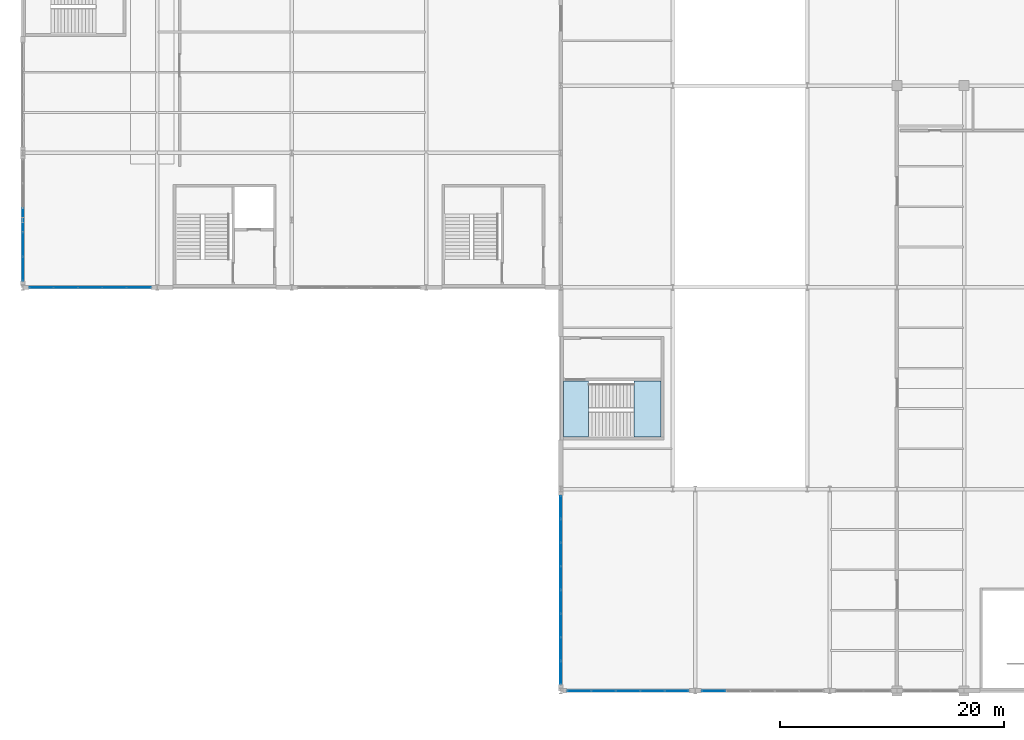
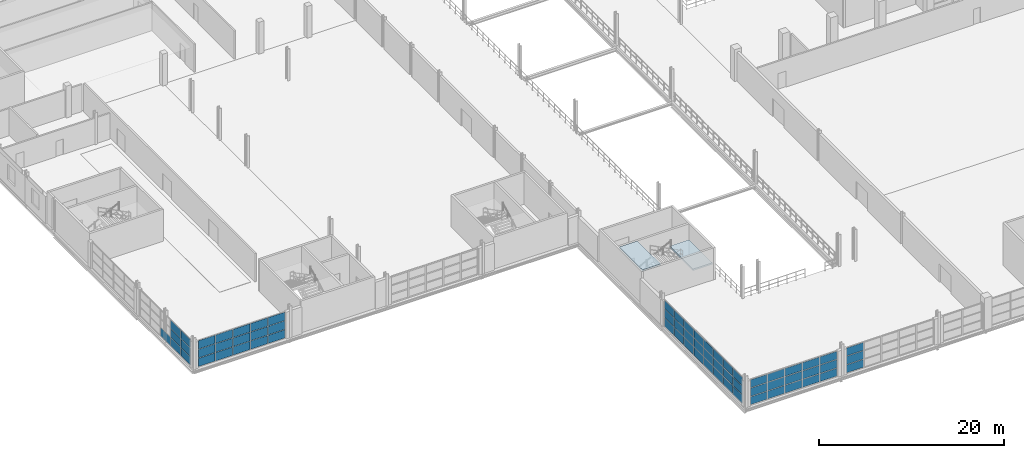
# One storey, part 125 of 158: 64 plates, 2 slabs, 6 elements without a shape of their own.
"""IFC4 building model written with IfcOpenShell, lengths in metres."""

from ifc_helpers import new_model, si_unit, direction, frame, origin, origin_2d, place, context, subcontext, project, spatial, polyline, rectangle, outline, extrude, material, layer, layer_set, type_object, element, aggregate, save


model = new_model("IFC4")

# Units and contexts
model_context = context("Model", 3, precision=1e-05, world=origin(), true_north=direction((0.0, 1.0)))
body_context = subcontext(model_context, "Body", "Model", "MODEL_VIEW")
ifc_project = project(units=[si_unit("LENGTHUNIT", "METRE"), si_unit("AREAUNIT", "SQUARE_METRE"), si_unit("VOLUMEUNIT", "CUBIC_METRE"), si_unit("PLANEANGLEUNIT", "RADIAN"), si_unit("MASSUNIT", "GRAM", prefix="KILO")], contexts=[model_context])

# Site, building, storey
site_placement = place(None, origin())
site = spatial("IfcSite", under=ifc_project, at=site_placement, CompositionType="ELEMENT")
building_placement = place(site_placement, origin())
building = spatial("IfcBuilding", under=site, at=building_placement, Name="Zilviju Railside Exhibition Hall", CompositionType="ELEMENT")
storey_placement = place(building_placement, frame((0.0, 0.0, 4.199951171875)))
storey = spatial("IfcBuildingStorey", under=building, at=storey_placement, Name="L02", CompositionType="ELEMENT", Elevation=4.199951171875)

# Curtain wall, plates
ifc_material_1 = material(Name="Thermally broken aluminium-steel triple-glazed curtain wall", Category="steel")
ifc_layer_1 = layer(ifc_material_1, 0.179931640625)
ifc_layer_set_1 = layer_set([ifc_layer_1], Name="Thermally broken aluminium-steel triple-glazed curtain wall")
curtain_wall_type_1 = type_object("IfcCurtainWallType", Name="CW-BAY-12", PredefinedType="USERDEFINED", material=ifc_layer_set_1)
curtain_wall_1_placement = place(storey_placement, origin())
curtain_wall_1 = element("IfcCurtainWall", 1, at=curtain_wall_1_placement, inside=storey, type_object=curtain_wall_type_1, Name="Winter Concourse South Upper Curtain Wall (60..72)", ObjectType="GLAZED CURTAIN WALL", PredefinedType="USERDEFINED")
ifc_material_2 = material(Name="Triple-glazed solar-control glass unit", Category="glass")
ifc_layer_2 = layer(ifc_material_2, 0.0380859375)
ifc_layer_set_2 = layer_set([ifc_layer_2], Name="Triple-glazed solar-control glass unit")
plate_type_1 = type_object("IfcPlateType", Name="CWP-IGU-38", PredefinedType="CURTAIN_PANEL", material=ifc_layer_set_2)
plate_1_placement = place(storey_placement, frame((61.65625, 0.0, 0.06494140625), z_axis=(0.0, 0.0, 1.0), x_axis=(-1.0, 0.0, 0.0)))
plate_1 = element("IfcPlate", 2, at=plate_1_placement, type_object=plate_type_1, Name="CW-12 panel 5.1", PredefinedType="CURTAIN_PANEL", context=body_context, shape_type="SweptSolid", body=[
    extrude(rectangle(XDim=2.08251953125, YDim=0.0380859375, at=origin_2d()), origin(), (0.0, 0.0, 1.0), 1.035400390625),
])
plate_2_placement = place(storey_placement, frame((61.65625, 0.0, 1.16552734375), z_axis=(0.0, 0.0, 1.0), x_axis=(-1.0, 0.0, 0.0)))
plate_2 = element("IfcPlate", 3, at=plate_2_placement, type_object=plate_type_1, Name="CW-12 panel 5.2", PredefinedType="CURTAIN_PANEL", context=body_context, shape_type="SweptSolid", body=[
    extrude(rectangle(XDim=2.08251953125, YDim=0.0380859375, at=origin_2d()), origin(), (0.0, 0.0, 1.0), 1.069091796875),
])
plate_3_placement = place(storey_placement, frame((61.65625, 0.0, 2.2998046875), z_axis=(0.0, 0.0, 1.0), x_axis=(-1.0, 0.0, 0.0)))
plate_3 = element("IfcPlate", 4, at=plate_3_placement, type_object=plate_type_1, Name="CW-12 panel 5.3", PredefinedType="CURTAIN_PANEL", context=body_context, shape_type="SweptSolid", body=[
    extrude(rectangle(XDim=2.08251953125, YDim=0.0380859375, at=origin_2d()), origin(), (0.0, 0.0, 1.0), 1.035400390625),
])
aggregate(curtain_wall_1, [plate_1, plate_2, plate_3])

ifc_layer_3 = layer(ifc_material_1, 0.179931640625)
ifc_layer_set_3 = layer_set([ifc_layer_3], Name="Thermally broken aluminium-steel triple-glazed curtain wall")
curtain_wall_type_2 = type_object("IfcCurtainWallType", Name="CW-BAY-18", PredefinedType="USERDEFINED", material=ifc_layer_set_3)
curtain_wall_2_placement = place(storey_placement, origin())
curtain_wall_2 = element("IfcCurtainWall", 5, at=curtain_wall_2_placement, inside=storey, type_object=curtain_wall_type_2, Name="Congress Crush Foyer Boulevard Curtain Wall L02 (36..48)", ObjectType="GLAZED CURTAIN WALL", PredefinedType="USERDEFINED")
plate_4_placement = place(storey_placement, frame((0.0, 37.65625, 0.06494140625), z_axis=(0.0, 0.0, 1.0), x_axis=(0.0, 1.0, 0.0)))
plate_4 = element("IfcPlate", 6, at=plate_4_placement, type_object=plate_type_1, Name="CW-18 panel 1.1", PredefinedType="CURTAIN_PANEL", context=body_context, shape_type="SweptSolid", body=[
    extrude(rectangle(XDim=2.08251953125, YDim=0.0380859375, at=origin_2d()), origin(), (0.0, 0.0, 1.0), 1.069580078125),
])
plate_5_placement = place(storey_placement, frame((0.0, 37.65625, 1.199462890625), z_axis=(0.0, 0.0, 1.0), x_axis=(0.0, 1.0, 0.0)))
plate_5 = element("IfcPlate", 7, at=plate_5_placement, type_object=plate_type_1, Name="CW-18 panel 1.2", PredefinedType="CURTAIN_PANEL", context=body_context, shape_type="SweptSolid", body=[
    extrude(rectangle(XDim=2.08251953125, YDim=0.0380859375, at=origin_2d()), origin(), (0.0, 0.0, 1.0), 1.10107421875),
])
plate_6_placement = place(storey_placement, frame((0.0, 37.65625, 2.36572265625), z_axis=(0.0, 0.0, 1.0), x_axis=(0.0, 1.0, 0.0)))
plate_6 = element("IfcPlate", 8, at=plate_6_placement, type_object=plate_type_1, Name="CW-18 panel 1.3", PredefinedType="CURTAIN_PANEL", context=body_context, shape_type="SweptSolid", body=[
    extrude(rectangle(XDim=2.08251953125, YDim=0.0380859375, at=origin_2d()), origin(), (0.0, 0.0, 1.0), 1.069580078125),
])
plate_7_placement = place(storey_placement, frame((0.0, 39.820068359375, 0.06494140625), z_axis=(0.0, 0.0, 1.0), x_axis=(0.0, 1.0, 0.0)))
plate_7 = element("IfcPlate", 9, at=plate_7_placement, type_object=plate_type_1, Name="CW-18 panel 2.1", PredefinedType="CURTAIN_PANEL", context=body_context, shape_type="SweptSolid", body=[
    extrude(rectangle(XDim=2.114990234375, YDim=0.0380859375, at=origin_2d()), origin(), (0.0, 0.0, 1.0), 1.069580078125),
])
plate_8_placement = place(storey_placement, frame((0.0, 39.820068359375, 1.199462890625), z_axis=(0.0, 0.0, 1.0), x_axis=(0.0, 1.0, 0.0)))
plate_8 = element("IfcPlate", 10, at=plate_8_placement, type_object=plate_type_1, Name="CW-18 panel 2.2", PredefinedType="CURTAIN_PANEL", context=body_context, shape_type="SweptSolid", body=[
    extrude(rectangle(XDim=2.114990234375, YDim=0.0380859375, at=origin_2d()), origin(), (0.0, 0.0, 1.0), 1.10107421875),
])
plate_9_placement = place(storey_placement, frame((0.0, 39.820068359375, 2.36572265625), z_axis=(0.0, 0.0, 1.0), x_axis=(0.0, 1.0, 0.0)))
plate_9 = element("IfcPlate", 11, at=plate_9_placement, type_object=plate_type_1, Name="CW-18 panel 2.3", PredefinedType="CURTAIN_PANEL", context=body_context, shape_type="SweptSolid", body=[
    extrude(rectangle(XDim=2.114990234375, YDim=0.0380859375, at=origin_2d()), origin(), (0.0, 0.0, 1.0), 1.069580078125),
])
plate_10_placement = place(storey_placement, frame((0.0, 42.0, 0.06494140625), z_axis=(0.0, 0.0, 1.0), x_axis=(0.0, 1.0, 0.0)))
plate_10 = element("IfcPlate", 12, at=plate_10_placement, type_object=plate_type_1, Name="CW-18 panel 3.1", PredefinedType="CURTAIN_PANEL", context=body_context, shape_type="SweptSolid", body=[
    extrude(rectangle(XDim=2.114990234375, YDim=0.0380859375, at=origin_2d()), origin(), (0.0, 0.0, 1.0), 1.069580078125),
])
aggregate(curtain_wall_2, [plate_4, plate_5, plate_6, plate_7, plate_8, plate_9, plate_10])

ifc_layer_4 = layer(ifc_material_1, 0.179931640625)
ifc_layer_set_4 = layer_set([ifc_layer_4], Name="Thermally broken aluminium-steel triple-glazed curtain wall")
curtain_wall_type_3 = type_object("IfcCurtainWallType", Name="CW-BAY-11", PredefinedType="USERDEFINED", material=ifc_layer_set_4)
curtain_wall_3_placement = place(storey_placement, origin())
curtain_wall_3 = element("IfcCurtainWall", 13, at=curtain_wall_3_placement, inside=storey, type_object=curtain_wall_type_3, Name="Winter Concourse South Upper Curtain Wall (48..60)", ObjectType="GLAZED CURTAIN WALL", PredefinedType="USERDEFINED")
ifc_material_3 = material(Name="Triple-glazed low-E argon insulating glass unit", Category="glass")
ifc_layer_5 = layer(ifc_material_3, 0.0439453125)
ifc_layer_set_5 = layer_set([ifc_layer_5], Name="Triple-glazed low-E argon insulating glass unit")
plate_type_2 = type_object("IfcPlateType", Name="CWP-IGU-44", PredefinedType="CURTAIN_PANEL", material=ifc_layer_set_5)
plate_11_placement = place(storey_placement, frame((58.342529296875, 0.0, 0.06982421875), z_axis=(0.0, 0.0, 1.0), x_axis=(-1.0, 0.0, 0.0)))
plate_11 = element("IfcPlate", 14, at=plate_11_placement, type_object=plate_type_2, Name="CW-11 panel 1.1", PredefinedType="CURTAIN_PANEL", context=body_context, shape_type="SweptSolid", body=[
    extrude(rectangle(XDim=2.074951171875, YDim=0.0439453125, at=origin_2d()), origin(), (0.0, 0.0, 1.0), 1.028076171875),
])
plate_12_placement = place(storey_placement, frame((58.342529296875, 0.0, 1.16796875), z_axis=(0.0, 0.0, 1.0), x_axis=(-1.0, 0.0, 0.0)))
plate_12 = element("IfcPlate", 15, at=plate_12_placement, type_object=plate_type_2, Name="CW-11 panel 1.2", PredefinedType="CURTAIN_PANEL", context=body_context, shape_type="SweptSolid", body=[
    extrude(rectangle(XDim=2.074951171875, YDim=0.0439453125, at=origin_2d()), origin(), (0.0, 0.0, 1.0), 1.06396484375),
])
plate_13_placement = place(storey_placement, frame((58.342529296875, 0.0, 2.30224609375), z_axis=(0.0, 0.0, 1.0), x_axis=(-1.0, 0.0, 0.0)))
plate_13 = element("IfcPlate", 16, at=plate_13_placement, type_object=plate_type_2, Name="CW-11 panel 1.3", PredefinedType="CURTAIN_PANEL", context=body_context, shape_type="SweptSolid", body=[
    extrude(rectangle(XDim=2.074951171875, YDim=0.0439453125, at=origin_2d()), origin(), (0.0, 0.0, 1.0), 1.028076171875),
])
plate_14_placement = place(storey_placement, frame((56.179931640625, 0.0, 0.06982421875), z_axis=(0.0, 0.0, 1.0), x_axis=(-1.0, 0.0, 0.0)))
plate_14 = element("IfcPlate", 17, at=plate_14_placement, type_object=plate_type_2, Name="CW-11 panel 2.1", PredefinedType="CURTAIN_PANEL", context=body_context, shape_type="SweptSolid", body=[
    extrude(rectangle(XDim=2.110107421875, YDim=0.0439453125, at=origin_2d()), origin(), (0.0, 0.0, 1.0), 1.028076171875),
])
plate_15_placement = place(storey_placement, frame((56.179931640625, 0.0, 1.16796875), z_axis=(0.0, 0.0, 1.0), x_axis=(-1.0, 0.0, 0.0)))
plate_15 = element("IfcPlate", 18, at=plate_15_placement, type_object=plate_type_2, Name="CW-11 panel 2.2", PredefinedType="CURTAIN_PANEL", context=body_context, shape_type="SweptSolid", body=[
    extrude(rectangle(XDim=2.110107421875, YDim=0.0439453125, at=origin_2d()), origin(), (0.0, 0.0, 1.0), 1.06396484375),
])
plate_16_placement = place(storey_placement, frame((56.179931640625, 0.0, 2.30224609375), z_axis=(0.0, 0.0, 1.0), x_axis=(-1.0, 0.0, 0.0)))
plate_16 = element("IfcPlate", 19, at=plate_16_placement, type_object=plate_type_2, Name="CW-11 panel 2.3", PredefinedType="CURTAIN_PANEL", context=body_context, shape_type="SweptSolid", body=[
    extrude(rectangle(XDim=2.110107421875, YDim=0.0439453125, at=origin_2d()), origin(), (0.0, 0.0, 1.0), 1.028076171875),
])
plate_17_placement = place(storey_placement, frame((54.0, 0.0, 0.06982421875), z_axis=(0.0, 0.0, 1.0), x_axis=(-1.0, 0.0, 0.0)))
plate_17 = element("IfcPlate", 20, at=plate_17_placement, type_object=plate_type_2, Name="CW-11 panel 3.1", PredefinedType="CURTAIN_PANEL", context=body_context, shape_type="SweptSolid", body=[
    extrude(rectangle(XDim=2.110107421875, YDim=0.0439453125, at=origin_2d()), origin(), (0.0, 0.0, 1.0), 1.028076171875),
])
plate_18_placement = place(storey_placement, frame((54.0, 0.0, 1.16796875), z_axis=(0.0, 0.0, 1.0), x_axis=(-1.0, 0.0, 0.0)))
plate_18 = element("IfcPlate", 21, at=plate_18_placement, type_object=plate_type_2, Name="CW-11 panel 3.2", PredefinedType="CURTAIN_PANEL", context=body_context, shape_type="SweptSolid", body=[
    extrude(rectangle(XDim=2.110107421875, YDim=0.0439453125, at=origin_2d()), origin(), (0.0, 0.0, 1.0), 1.06396484375),
])
plate_19_placement = place(storey_placement, frame((54.0, 0.0, 2.30224609375), z_axis=(0.0, 0.0, 1.0), x_axis=(-1.0, 0.0, 0.0)))
plate_19 = element("IfcPlate", 22, at=plate_19_placement, type_object=plate_type_2, Name="CW-11 panel 3.3", PredefinedType="CURTAIN_PANEL", context=body_context, shape_type="SweptSolid", body=[
    extrude(rectangle(XDim=2.110107421875, YDim=0.0439453125, at=origin_2d()), origin(), (0.0, 0.0, 1.0), 1.028076171875),
])
plate_20_placement = place(storey_placement, frame((51.820068359375, 0.0, 0.06982421875), z_axis=(0.0, 0.0, 1.0), x_axis=(-1.0, 0.0, 0.0)))
plate_20 = element("IfcPlate", 23, at=plate_20_placement, type_object=plate_type_2, Name="CW-11 panel 4.1", PredefinedType="CURTAIN_PANEL", context=body_context, shape_type="SweptSolid", body=[
    extrude(rectangle(XDim=2.110107421875, YDim=0.0439453125, at=origin_2d()), origin(), (0.0, 0.0, 1.0), 1.028076171875),
])
plate_21_placement = place(storey_placement, frame((51.820068359375, 0.0, 1.16796875), z_axis=(0.0, 0.0, 1.0), x_axis=(-1.0, 0.0, 0.0)))
plate_21 = element("IfcPlate", 24, at=plate_21_placement, type_object=plate_type_2, Name="CW-11 panel 4.2", PredefinedType="CURTAIN_PANEL", context=body_context, shape_type="SweptSolid", body=[
    extrude(rectangle(XDim=2.110107421875, YDim=0.0439453125, at=origin_2d()), origin(), (0.0, 0.0, 1.0), 1.06396484375),
])
plate_22_placement = place(storey_placement, frame((51.820068359375, 0.0, 2.30224609375), z_axis=(0.0, 0.0, 1.0), x_axis=(-1.0, 0.0, 0.0)))
plate_22 = element("IfcPlate", 25, at=plate_22_placement, type_object=plate_type_2, Name="CW-11 panel 4.3", PredefinedType="CURTAIN_PANEL", context=body_context, shape_type="SweptSolid", body=[
    extrude(rectangle(XDim=2.110107421875, YDim=0.0439453125, at=origin_2d()), origin(), (0.0, 0.0, 1.0), 1.028076171875),
])
plate_23_placement = place(storey_placement, frame((49.657470703125, 0.0, 0.06982421875), z_axis=(0.0, 0.0, 1.0), x_axis=(-1.0, 0.0, 0.0)))
plate_23 = element("IfcPlate", 26, at=plate_23_placement, type_object=plate_type_2, Name="CW-11 panel 5.1", PredefinedType="CURTAIN_PANEL", context=body_context, shape_type="SweptSolid", body=[
    extrude(rectangle(XDim=2.074951171875, YDim=0.0439453125, at=origin_2d()), origin(), (0.0, 0.0, 1.0), 1.028076171875),
])
plate_24_placement = place(storey_placement, frame((49.657470703125, 0.0, 1.16796875), z_axis=(0.0, 0.0, 1.0), x_axis=(-1.0, 0.0, 0.0)))
plate_24 = element("IfcPlate", 27, at=plate_24_placement, type_object=plate_type_2, Name="CW-11 panel 5.2", PredefinedType="CURTAIN_PANEL", context=body_context, shape_type="SweptSolid", body=[
    extrude(rectangle(XDim=2.074951171875, YDim=0.0439453125, at=origin_2d()), origin(), (0.0, 0.0, 1.0), 1.06396484375),
])
plate_25_placement = place(storey_placement, frame((49.657470703125, 0.0, 2.30224609375), z_axis=(0.0, 0.0, 1.0), x_axis=(-1.0, 0.0, 0.0)))
plate_25 = element("IfcPlate", 28, at=plate_25_placement, type_object=plate_type_2, Name="CW-11 panel 5.3", PredefinedType="CURTAIN_PANEL", context=body_context, shape_type="SweptSolid", body=[
    extrude(rectangle(XDim=2.074951171875, YDim=0.0439453125, at=origin_2d()), origin(), (0.0, 0.0, 1.0), 1.028076171875),
])
aggregate(curtain_wall_3, [plate_11, plate_12, plate_13, plate_14, plate_15, plate_16, plate_17, plate_18, plate_19, plate_20, plate_21, plate_22, plate_23, plate_24, plate_25])

ifc_layer_6 = layer(ifc_material_1, 0.179931640625)
ifc_layer_set_6 = layer_set([ifc_layer_6], Name="Thermally broken aluminium-steel triple-glazed curtain wall")
curtain_wall_type_4 = type_object("IfcCurtainWallType", Name="CW-BAY-16", PredefinedType="USERDEFINED", material=ifc_layer_set_6)
curtain_wall_4_placement = place(storey_placement, origin())
curtain_wall_4 = element("IfcCurtainWall", 29, at=curtain_wall_4_placement, inside=storey, type_object=curtain_wall_type_4, Name="Congress Forecourt Curtain Wall L02 (0..12)", ObjectType="GLAZED CURTAIN WALL", PredefinedType="USERDEFINED")
plate_26_placement = place(storey_placement, frame((10.34619140625, 36.0, 0.05517578125), z_axis=(0.0, 0.0, 1.0), x_axis=(-1.0, 0.0, 0.0)))
plate_26 = element("IfcPlate", 30, at=plate_26_placement, type_object=plate_type_2, Name="CW-16 panel 1.1", PredefinedType="CURTAIN_PANEL", context=body_context, shape_type="SweptSolid", body=[
    extrude(rectangle(XDim=2.097412109375, YDim=0.0439453125, at=origin_2d()), origin(), (0.0, 0.0, 1.0), 1.090576171875),
])
plate_27_placement = place(storey_placement, frame((10.34619140625, 36.0, 1.20068359375), z_axis=(0.0, 0.0, 1.0), x_axis=(-1.0, 0.0, 0.0)))
plate_27 = element("IfcPlate", 31, at=plate_27_placement, type_object=plate_type_2, Name="CW-16 panel 1.2", PredefinedType="CURTAIN_PANEL", context=body_context, shape_type="SweptSolid", body=[
    extrude(rectangle(XDim=2.097412109375, YDim=0.0439453125, at=origin_2d()), origin(), (0.0, 0.0, 1.0), 1.118896484375),
])
plate_28_placement = place(storey_placement, frame((10.34619140625, 36.0, 2.37451171875), z_axis=(0.0, 0.0, 1.0), x_axis=(-1.0, 0.0, 0.0)))
plate_28 = element("IfcPlate", 32, at=plate_28_placement, type_object=plate_type_2, Name="CW-16 panel 1.3", PredefinedType="CURTAIN_PANEL", context=body_context, shape_type="SweptSolid", body=[
    extrude(rectangle(XDim=2.097412109375, YDim=0.0439453125, at=origin_2d()), origin(), (0.0, 0.0, 1.0), 1.090576171875),
])
plate_29_placement = place(storey_placement, frame((8.179931640625, 36.0, 0.05517578125), z_axis=(0.0, 0.0, 1.0), x_axis=(-1.0, 0.0, 0.0)))
plate_29 = element("IfcPlate", 33, at=plate_29_placement, type_object=plate_type_2, Name="CW-16 panel 2.1", PredefinedType="CURTAIN_PANEL", context=body_context, shape_type="SweptSolid", body=[
    extrude(rectangle(XDim=2.125, YDim=0.0439453125, at=origin_2d()), origin(), (0.0, 0.0, 1.0), 1.090576171875),
])
plate_30_placement = place(storey_placement, frame((8.179931640625, 36.0, 1.20068359375), z_axis=(0.0, 0.0, 1.0), x_axis=(-1.0, 0.0, 0.0)))
plate_30 = element("IfcPlate", 34, at=plate_30_placement, type_object=plate_type_2, Name="CW-16 panel 2.2", PredefinedType="CURTAIN_PANEL", context=body_context, shape_type="SweptSolid", body=[
    extrude(rectangle(XDim=2.125, YDim=0.0439453125, at=origin_2d()), origin(), (0.0, 0.0, 1.0), 1.118896484375),
])
plate_31_placement = place(storey_placement, frame((8.179931640625, 36.0, 2.37451171875), z_axis=(0.0, 0.0, 1.0), x_axis=(-1.0, 0.0, 0.0)))
plate_31 = element("IfcPlate", 35, at=plate_31_placement, type_object=plate_type_2, Name="CW-16 panel 2.3", PredefinedType="CURTAIN_PANEL", context=body_context, shape_type="SweptSolid", body=[
    extrude(rectangle(XDim=2.125, YDim=0.0439453125, at=origin_2d()), origin(), (0.0, 0.0, 1.0), 1.090576171875),
])
plate_32_placement = place(storey_placement, frame((6.0, 36.0, 0.05517578125), z_axis=(0.0, 0.0, 1.0), x_axis=(-1.0, 0.0, 0.0)))
plate_32 = element("IfcPlate", 36, at=plate_32_placement, type_object=plate_type_2, Name="CW-16 panel 3.1", PredefinedType="CURTAIN_PANEL", context=body_context, shape_type="SweptSolid", body=[
    extrude(rectangle(XDim=2.125, YDim=0.0439453125, at=origin_2d()), origin(), (0.0, 0.0, 1.0), 1.090576171875),
])
plate_33_placement = place(storey_placement, frame((6.0, 36.0, 1.20068359375), z_axis=(0.0, 0.0, 1.0), x_axis=(-1.0, 0.0, 0.0)))
plate_33 = element("IfcPlate", 37, at=plate_33_placement, type_object=plate_type_2, Name="CW-16 panel 3.2", PredefinedType="CURTAIN_PANEL", context=body_context, shape_type="SweptSolid", body=[
    extrude(rectangle(XDim=2.125, YDim=0.0439453125, at=origin_2d()), origin(), (0.0, 0.0, 1.0), 1.118896484375),
])
plate_34_placement = place(storey_placement, frame((6.0, 36.0, 2.37451171875), z_axis=(0.0, 0.0, 1.0), x_axis=(-1.0, 0.0, 0.0)))
plate_34 = element("IfcPlate", 38, at=plate_34_placement, type_object=plate_type_2, Name="CW-16 panel 3.3", PredefinedType="CURTAIN_PANEL", context=body_context, shape_type="SweptSolid", body=[
    extrude(rectangle(XDim=2.125, YDim=0.0439453125, at=origin_2d()), origin(), (0.0, 0.0, 1.0), 1.090576171875),
])
plate_35_placement = place(storey_placement, frame((3.820068359375, 36.0, 0.05517578125), z_axis=(0.0, 0.0, 1.0), x_axis=(-1.0, 0.0, 0.0)))
plate_35 = element("IfcPlate", 39, at=plate_35_placement, type_object=plate_type_2, Name="CW-16 panel 4.1", PredefinedType="CURTAIN_PANEL", context=body_context, shape_type="SweptSolid", body=[
    extrude(rectangle(XDim=2.125, YDim=0.0439453125, at=origin_2d()), origin(), (0.0, 0.0, 1.0), 1.090576171875),
])
plate_36_placement = place(storey_placement, frame((3.820068359375, 36.0, 1.20068359375), z_axis=(0.0, 0.0, 1.0), x_axis=(-1.0, 0.0, 0.0)))
plate_36 = element("IfcPlate", 40, at=plate_36_placement, type_object=plate_type_2, Name="CW-16 panel 4.2", PredefinedType="CURTAIN_PANEL", context=body_context, shape_type="SweptSolid", body=[
    extrude(rectangle(XDim=2.125, YDim=0.0439453125, at=origin_2d()), origin(), (0.0, 0.0, 1.0), 1.118896484375),
])
plate_37_placement = place(storey_placement, frame((3.820068359375, 36.0, 2.37451171875), z_axis=(0.0, 0.0, 1.0), x_axis=(-1.0, 0.0, 0.0)))
plate_37 = element("IfcPlate", 41, at=plate_37_placement, type_object=plate_type_2, Name="CW-16 panel 4.3", PredefinedType="CURTAIN_PANEL", context=body_context, shape_type="SweptSolid", body=[
    extrude(rectangle(XDim=2.125, YDim=0.0439453125, at=origin_2d()), origin(), (0.0, 0.0, 1.0), 1.090576171875),
])
plate_38_placement = place(storey_placement, frame((1.65380859375, 36.0, 0.05517578125), z_axis=(0.0, 0.0, 1.0), x_axis=(-1.0, 0.0, 0.0)))
plate_38 = element("IfcPlate", 42, at=plate_38_placement, type_object=plate_type_2, Name="CW-16 panel 5.1", PredefinedType="CURTAIN_PANEL", context=body_context, shape_type="SweptSolid", body=[
    extrude(rectangle(XDim=2.097412109375, YDim=0.0439453125, at=origin_2d()), origin(), (0.0, 0.0, 1.0), 1.090576171875),
])
plate_39_placement = place(storey_placement, frame((1.65380859375, 36.0, 1.20068359375), z_axis=(0.0, 0.0, 1.0), x_axis=(-1.0, 0.0, 0.0)))
plate_39 = element("IfcPlate", 43, at=plate_39_placement, type_object=plate_type_2, Name="CW-16 panel 5.2", PredefinedType="CURTAIN_PANEL", context=body_context, shape_type="SweptSolid", body=[
    extrude(rectangle(XDim=2.097412109375, YDim=0.0439453125, at=origin_2d()), origin(), (0.0, 0.0, 1.0), 1.118896484375),
])
plate_40_placement = place(storey_placement, frame((1.65380859375, 36.0, 2.37451171875), z_axis=(0.0, 0.0, 1.0), x_axis=(-1.0, 0.0, 0.0)))
plate_40 = element("IfcPlate", 44, at=plate_40_placement, type_object=plate_type_2, Name="CW-16 panel 5.3", PredefinedType="CURTAIN_PANEL", context=body_context, shape_type="SweptSolid", body=[
    extrude(rectangle(XDim=2.097412109375, YDim=0.0439453125, at=origin_2d()), origin(), (0.0, 0.0, 1.0), 1.090576171875),
])
aggregate(curtain_wall_4, [plate_26, plate_27, plate_28, plate_29, plate_30, plate_31, plate_32, plate_33, plate_34, plate_35, plate_36, plate_37, plate_38, plate_39, plate_40])

ifc_layer_7 = layer(ifc_material_1, 0.179931640625)
ifc_layer_set_7 = layer_set([ifc_layer_7], Name="Thermally broken aluminium-steel triple-glazed curtain wall")
curtain_wall_type_5 = type_object("IfcCurtainWallType", Name="CW-BAY-14", PredefinedType="USERDEFINED", material=ifc_layer_set_7)
curtain_wall_5_placement = place(storey_placement, origin())
curtain_wall_5 = element("IfcCurtainWall", 45, at=curtain_wall_5_placement, inside=storey, type_object=curtain_wall_type_5, Name="Winter Concourse Forecourt Curtain Wall L02", ObjectType="GLAZED CURTAIN WALL", PredefinedType="USERDEFINED")
ifc_material_4 = material(Name="Insulated cobalt-blue enamelled spandrel glass panel", Category="glass")
ifc_layer_8 = layer(ifc_material_4, 0.052001953125)
ifc_layer_set_8 = layer_set([ifc_layer_8], Name="Insulated cobalt-blue enamelled spandrel glass panel")
plate_type_3 = type_object("IfcPlateType", Name="CWP-SPD-52", PredefinedType="CURTAIN_PANEL", material=ifc_layer_set_8)
plate_41_placement = place(storey_placement, frame((48.0, 1.626220703125, 0.080078125), z_axis=(0.0, 0.0, 1.0), x_axis=(0.0, 1.0, 0.0)))
plate_41 = element("IfcPlate", 46, at=plate_41_placement, type_object=plate_type_3, Name="CW-14 panel 1.1", PredefinedType="CURTAIN_PANEL", context=body_context, shape_type="SweptSolid", body=[
    extrude(rectangle(XDim=1.992431640625, YDim=0.052001953125, at=origin_2d()), origin(), (0.0, 0.0, 1.0), 1.06298828125),
])
plate_42_placement = place(storey_placement, frame((48.0, 1.626220703125, 1.22314453125), z_axis=(0.0, 0.0, 1.0), x_axis=(0.0, 1.0, 0.0)))
plate_42 = element("IfcPlate", 47, at=plate_42_placement, type_object=plate_type_3, Name="CW-14 panel 1.2", PredefinedType="CURTAIN_PANEL", context=body_context, shape_type="SweptSolid", body=[
    extrude(rectangle(XDim=1.992431640625, YDim=0.052001953125, at=origin_2d()), origin(), (0.0, 0.0, 1.0), 1.10400390625),
])
plate_43_placement = place(storey_placement, frame((48.0, 1.626220703125, 2.406982421875), z_axis=(0.0, 0.0, 1.0), x_axis=(0.0, 1.0, 0.0)))
plate_43 = element("IfcPlate", 48, at=plate_43_placement, type_object=plate_type_3, Name="CW-14 panel 1.3", PredefinedType="CURTAIN_PANEL", context=body_context, shape_type="SweptSolid", body=[
    extrude(rectangle(XDim=1.992431640625, YDim=0.052001953125, at=origin_2d()), origin(), (0.0, 0.0, 1.0), 1.06298828125),
])
plate_44_placement = place(storey_placement, frame((48.0, 3.71875, 0.080078125), z_axis=(0.0, 0.0, 1.0), x_axis=(0.0, 1.0, 0.0)))
plate_44 = element("IfcPlate", 49, at=plate_44_placement, type_object=plate_type_3, Name="CW-14 panel 2.1", PredefinedType="CURTAIN_PANEL", context=body_context, shape_type="SweptSolid", body=[
    extrude(rectangle(XDim=2.032470703125, YDim=0.052001953125, at=origin_2d()), origin(), (0.0, 0.0, 1.0), 1.06298828125),
])
plate_45_placement = place(storey_placement, frame((48.0, 3.71875, 1.22314453125), z_axis=(0.0, 0.0, 1.0), x_axis=(0.0, 1.0, 0.0)))
plate_45 = element("IfcPlate", 50, at=plate_45_placement, type_object=plate_type_3, Name="CW-14 panel 2.2", PredefinedType="CURTAIN_PANEL", context=body_context, shape_type="SweptSolid", body=[
    extrude(rectangle(XDim=2.032470703125, YDim=0.052001953125, at=origin_2d()), origin(), (0.0, 0.0, 1.0), 1.10400390625),
])
plate_46_placement = place(storey_placement, frame((48.0, 3.71875, 2.406982421875), z_axis=(0.0, 0.0, 1.0), x_axis=(0.0, 1.0, 0.0)))
plate_46 = element("IfcPlate", 51, at=plate_46_placement, type_object=plate_type_3, Name="CW-14 panel 2.3", PredefinedType="CURTAIN_PANEL", context=body_context, shape_type="SweptSolid", body=[
    extrude(rectangle(XDim=2.032470703125, YDim=0.052001953125, at=origin_2d()), origin(), (0.0, 0.0, 1.0), 1.06298828125),
])
plate_47_placement = place(storey_placement, frame((48.0, 5.831298828125, 0.080078125), z_axis=(0.0, 0.0, 1.0), x_axis=(0.0, 1.0, 0.0)))
plate_47 = element("IfcPlate", 52, at=plate_47_placement, type_object=plate_type_3, Name="CW-14 panel 3.1", PredefinedType="CURTAIN_PANEL", context=body_context, shape_type="SweptSolid", body=[
    extrude(rectangle(XDim=2.032470703125, YDim=0.052001953125, at=origin_2d()), origin(), (0.0, 0.0, 1.0), 1.06298828125),
])
plate_48_placement = place(storey_placement, frame((48.0, 5.831298828125, 1.22314453125), z_axis=(0.0, 0.0, 1.0), x_axis=(0.0, 1.0, 0.0)))
plate_48 = element("IfcPlate", 53, at=plate_48_placement, type_object=plate_type_3, Name="CW-14 panel 3.2", PredefinedType="CURTAIN_PANEL", context=body_context, shape_type="SweptSolid", body=[
    extrude(rectangle(XDim=2.032470703125, YDim=0.052001953125, at=origin_2d()), origin(), (0.0, 0.0, 1.0), 1.10400390625),
])
plate_49_placement = place(storey_placement, frame((48.0, 5.831298828125, 2.406982421875), z_axis=(0.0, 0.0, 1.0), x_axis=(0.0, 1.0, 0.0)))
plate_49 = element("IfcPlate", 54, at=plate_49_placement, type_object=plate_type_3, Name="CW-14 panel 3.3", PredefinedType="CURTAIN_PANEL", context=body_context, shape_type="SweptSolid", body=[
    extrude(rectangle(XDim=2.032470703125, YDim=0.052001953125, at=origin_2d()), origin(), (0.0, 0.0, 1.0), 1.06298828125),
])
plate_50_placement = place(storey_placement, frame((48.0, 7.94384765625, 0.080078125), z_axis=(0.0, 0.0, 1.0), x_axis=(0.0, 1.0, 0.0)))
plate_50 = element("IfcPlate", 55, at=plate_50_placement, type_object=plate_type_3, Name="CW-14 panel 4.1", PredefinedType="CURTAIN_PANEL", context=body_context, shape_type="SweptSolid", body=[
    extrude(rectangle(XDim=2.032470703125, YDim=0.052001953125, at=origin_2d()), origin(), (0.0, 0.0, 1.0), 1.06298828125),
])
plate_51_placement = place(storey_placement, frame((48.0, 7.94384765625, 1.22314453125), z_axis=(0.0, 0.0, 1.0), x_axis=(0.0, 1.0, 0.0)))
plate_51 = element("IfcPlate", 56, at=plate_51_placement, type_object=plate_type_3, Name="CW-14 panel 4.2", PredefinedType="CURTAIN_PANEL", context=body_context, shape_type="SweptSolid", body=[
    extrude(rectangle(XDim=2.032470703125, YDim=0.052001953125, at=origin_2d()), origin(), (0.0, 0.0, 1.0), 1.10400390625),
])
plate_52_placement = place(storey_placement, frame((48.0, 7.94384765625, 2.406982421875), z_axis=(0.0, 0.0, 1.0), x_axis=(0.0, 1.0, 0.0)))
plate_52 = element("IfcPlate", 57, at=plate_52_placement, type_object=plate_type_3, Name="CW-14 panel 4.3", PredefinedType="CURTAIN_PANEL", context=body_context, shape_type="SweptSolid", body=[
    extrude(rectangle(XDim=2.032470703125, YDim=0.052001953125, at=origin_2d()), origin(), (0.0, 0.0, 1.0), 1.06298828125),
])
plate_53_placement = place(storey_placement, frame((48.0, 10.05615234375, 0.080078125), z_axis=(0.0, 0.0, 1.0), x_axis=(0.0, 1.0, 0.0)))
plate_53 = element("IfcPlate", 58, at=plate_53_placement, type_object=plate_type_3, Name="CW-14 panel 5.1", PredefinedType="CURTAIN_PANEL", context=body_context, shape_type="SweptSolid", body=[
    extrude(rectangle(XDim=2.032470703125, YDim=0.052001953125, at=origin_2d()), origin(), (0.0, 0.0, 1.0), 1.06298828125),
])
plate_54_placement = place(storey_placement, frame((48.0, 10.05615234375, 1.22314453125), z_axis=(0.0, 0.0, 1.0), x_axis=(0.0, 1.0, 0.0)))
plate_54 = element("IfcPlate", 59, at=plate_54_placement, type_object=plate_type_3, Name="CW-14 panel 5.2", PredefinedType="CURTAIN_PANEL", context=body_context, shape_type="SweptSolid", body=[
    extrude(rectangle(XDim=2.032470703125, YDim=0.052001953125, at=origin_2d()), origin(), (0.0, 0.0, 1.0), 1.10400390625),
])
plate_55_placement = place(storey_placement, frame((48.0, 10.05615234375, 2.406982421875), z_axis=(0.0, 0.0, 1.0), x_axis=(0.0, 1.0, 0.0)))
plate_55 = element("IfcPlate", 60, at=plate_55_placement, type_object=plate_type_3, Name="CW-14 panel 5.3", PredefinedType="CURTAIN_PANEL", context=body_context, shape_type="SweptSolid", body=[
    extrude(rectangle(XDim=2.032470703125, YDim=0.052001953125, at=origin_2d()), origin(), (0.0, 0.0, 1.0), 1.06298828125),
])
plate_56_placement = place(storey_placement, frame((48.0, 12.168701171875, 0.080078125), z_axis=(0.0, 0.0, 1.0), x_axis=(0.0, 1.0, 0.0)))
plate_56 = element("IfcPlate", 61, at=plate_56_placement, type_object=plate_type_3, Name="CW-14 panel 6.1", PredefinedType="CURTAIN_PANEL", context=body_context, shape_type="SweptSolid", body=[
    extrude(rectangle(XDim=2.032470703125, YDim=0.052001953125, at=origin_2d()), origin(), (0.0, 0.0, 1.0), 1.06298828125),
])
plate_57_placement = place(storey_placement, frame((48.0, 12.168701171875, 1.22314453125), z_axis=(0.0, 0.0, 1.0), x_axis=(0.0, 1.0, 0.0)))
plate_57 = element("IfcPlate", 62, at=plate_57_placement, type_object=plate_type_3, Name="CW-14 panel 6.2", PredefinedType="CURTAIN_PANEL", context=body_context, shape_type="SweptSolid", body=[
    extrude(rectangle(XDim=2.032470703125, YDim=0.052001953125, at=origin_2d()), origin(), (0.0, 0.0, 1.0), 1.10400390625),
])
plate_58_placement = place(storey_placement, frame((48.0, 12.168701171875, 2.406982421875), z_axis=(0.0, 0.0, 1.0), x_axis=(0.0, 1.0, 0.0)))
plate_58 = element("IfcPlate", 63, at=plate_58_placement, type_object=plate_type_3, Name="CW-14 panel 6.3", PredefinedType="CURTAIN_PANEL", context=body_context, shape_type="SweptSolid", body=[
    extrude(rectangle(XDim=2.032470703125, YDim=0.052001953125, at=origin_2d()), origin(), (0.0, 0.0, 1.0), 1.06298828125),
])
plate_59_placement = place(storey_placement, frame((48.0, 14.28125, 0.080078125), z_axis=(0.0, 0.0, 1.0), x_axis=(0.0, 1.0, 0.0)))
plate_59 = element("IfcPlate", 64, at=plate_59_placement, type_object=plate_type_3, Name="CW-14 panel 7.1", PredefinedType="CURTAIN_PANEL", context=body_context, shape_type="SweptSolid", body=[
    extrude(rectangle(XDim=2.032470703125, YDim=0.052001953125, at=origin_2d()), origin(), (0.0, 0.0, 1.0), 1.06298828125),
])
plate_60_placement = place(storey_placement, frame((48.0, 14.28125, 1.22314453125), z_axis=(0.0, 0.0, 1.0), x_axis=(0.0, 1.0, 0.0)))
plate_60 = element("IfcPlate", 65, at=plate_60_placement, type_object=plate_type_3, Name="CW-14 panel 7.2", PredefinedType="CURTAIN_PANEL", context=body_context, shape_type="SweptSolid", body=[
    extrude(rectangle(XDim=2.032470703125, YDim=0.052001953125, at=origin_2d()), origin(), (0.0, 0.0, 1.0), 1.10400390625),
])
plate_61_placement = place(storey_placement, frame((48.0, 14.28125, 2.406982421875), z_axis=(0.0, 0.0, 1.0), x_axis=(0.0, 1.0, 0.0)))
plate_61 = element("IfcPlate", 66, at=plate_61_placement, type_object=plate_type_3, Name="CW-14 panel 7.3", PredefinedType="CURTAIN_PANEL", context=body_context, shape_type="SweptSolid", body=[
    extrude(rectangle(XDim=2.032470703125, YDim=0.052001953125, at=origin_2d()), origin(), (0.0, 0.0, 1.0), 1.06298828125),
])
plate_62_placement = place(storey_placement, frame((48.0, 16.373779296875, 0.080078125), z_axis=(0.0, 0.0, 1.0), x_axis=(0.0, 1.0, 0.0)))
plate_62 = element("IfcPlate", 67, at=plate_62_placement, type_object=plate_type_3, Name="CW-14 panel 8.1", PredefinedType="CURTAIN_PANEL", context=body_context, shape_type="SweptSolid", body=[
    extrude(rectangle(XDim=1.992431640625, YDim=0.052001953125, at=origin_2d()), origin(), (0.0, 0.0, 1.0), 1.06298828125),
])
plate_63_placement = place(storey_placement, frame((48.0, 16.373779296875, 1.22314453125), z_axis=(0.0, 0.0, 1.0), x_axis=(0.0, 1.0, 0.0)))
plate_63 = element("IfcPlate", 68, at=plate_63_placement, type_object=plate_type_3, Name="CW-14 panel 8.2", PredefinedType="CURTAIN_PANEL", context=body_context, shape_type="SweptSolid", body=[
    extrude(rectangle(XDim=1.992431640625, YDim=0.052001953125, at=origin_2d()), origin(), (0.0, 0.0, 1.0), 1.10400390625),
])
plate_64_placement = place(storey_placement, frame((48.0, 16.373779296875, 2.406982421875), z_axis=(0.0, 0.0, 1.0), x_axis=(0.0, 1.0, 0.0)))
plate_64 = element("IfcPlate", 69, at=plate_64_placement, type_object=plate_type_3, Name="CW-14 panel 8.3", PredefinedType="CURTAIN_PANEL", context=body_context, shape_type="SweptSolid", body=[
    extrude(rectangle(XDim=1.992431640625, YDim=0.052001953125, at=origin_2d()), origin(), (0.0, 0.0, 1.0), 1.06298828125),
])
aggregate(curtain_wall_5, [plate_41, plate_42, plate_43, plate_44, plate_45, plate_46, plate_47, plate_48, plate_49, plate_50, plate_51, plate_52, plate_53, plate_54, plate_55, plate_56, plate_57, plate_58, plate_59, plate_60, plate_61, plate_62, plate_63, plate_64])

# Stair, slabs
ifc_material_5 = material(Name="Concrete C35/45", Category="concrete")
stair_type = type_object("IfcStairType", Name="STAIR-ST-B", PredefinedType="HALF_TURN_STAIR", material=ifc_material_5)
stair_placement = place(storey_placement, origin())
stair = element("IfcStair", 70, at=stair_placement, inside=storey, type_object=stair_type, Name="Core C11 Winter Concourse Forecourt Exit Stair L02", PredefinedType="HALF_TURN_STAIR")
ifc_layer_9 = layer(ifc_material_5, 0.199951171875)
ifc_layer_set_9 = layer_set([ifc_layer_9], Name="Concrete C35/45")
slab_type = type_object("IfcSlabType", Name="SL-LAND-200", PredefinedType="LANDING", material=ifc_layer_set_9)
slab_1_placement = place(storey_placement, frame((0.0, 0.0, 1.900146484375)))
slab_1 = element("IfcSlab", 71, at=slab_1_placement, type_object=slab_type, Name="ST-11 landing 1", PredefinedType="LANDING", context=body_context, shape_type="SweptSolid", body=[
    extrude(outline(polyline([(54.530029296875, 22.64990234375), (54.530029296875, 27.64990234375), (56.949951171875, 27.64990234375), (56.949951171875, 22.64990234375), (54.530029296875, 22.64990234375)])), origin(), (0.0, 0.0, 1.0), 0.199951171875),
])
slab_2_placement = place(storey_placement, frame((0.0, 0.0, 4.0)))
slab_2 = element("IfcSlab", 72, at=slab_2_placement, type_object=slab_type, Name="ST-11 landing 2", PredefinedType="LANDING", context=body_context, shape_type="SweptSolid", body=[
    extrude(outline(polyline([(48.25, 22.64990234375), (48.25, 27.64990234375), (50.5, 27.64990234375), (50.5, 22.64990234375), (48.25, 22.64990234375)])), origin(), (0.0, 0.0, 1.0), 0.199951171875),
])
aggregate(stair, [slab_1, slab_2])

save(model, "model.ifc")
